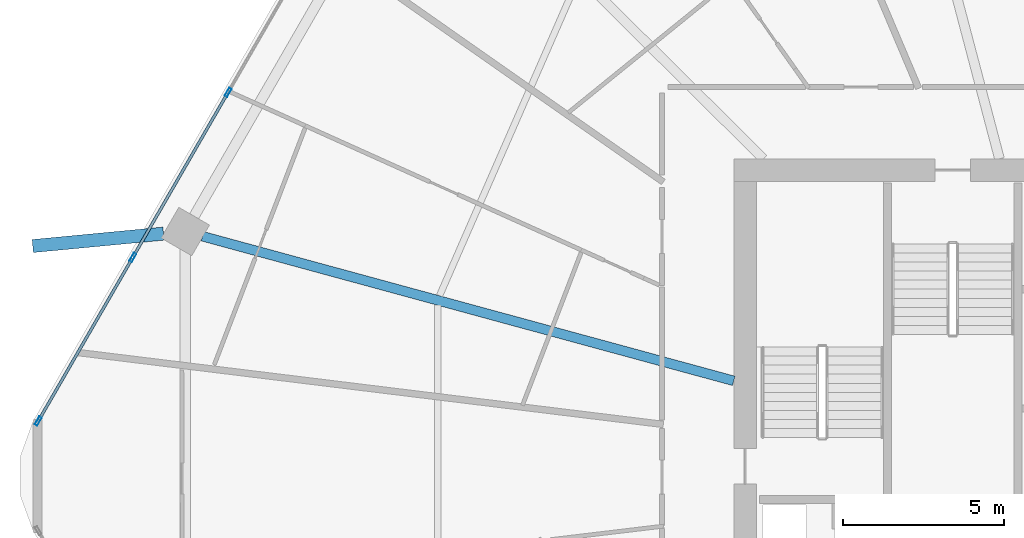
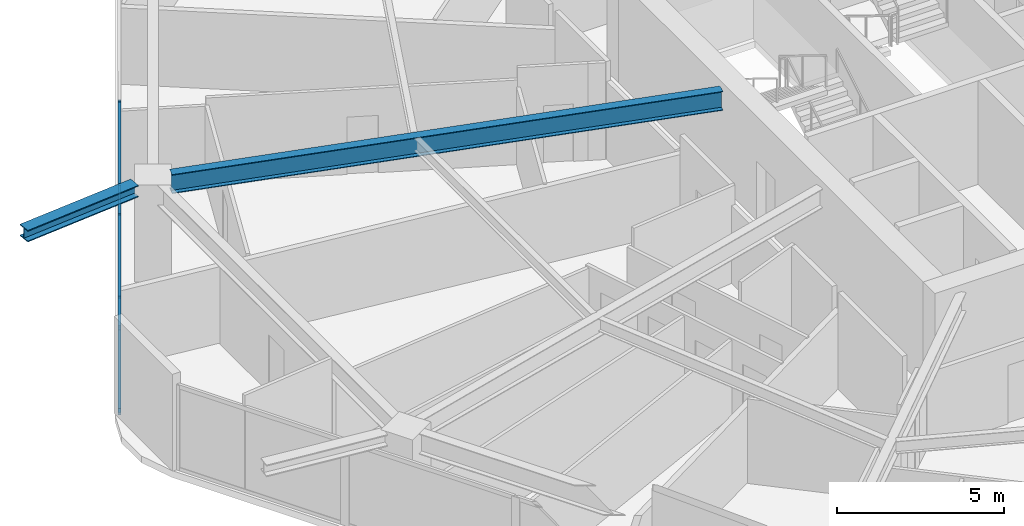
# One storey, part 13 of 33: 7 members, 2 beams, 1 element without a shape of its own.
"""IFC4 building model written with IfcOpenShell, lengths in metres."""

from ifc_helpers import new_model, si_unit, direction, frame, origin, origin_2d, place, context, subcontext, project, spatial, hollow_rectangle, i_section, extrude, material, material_profile, profile_set, type_object, element, aggregate, save


model = new_model("IFC4")

# Units and contexts
model_context = context("Model", 3, precision=1e-05, world=origin(), true_north=direction((0.0, 1.0)))
body_context = subcontext(model_context, "Body", "Model", "MODEL_VIEW")
ifc_project = project(units=[si_unit("LENGTHUNIT", "METRE"), si_unit("AREAUNIT", "SQUARE_METRE"), si_unit("VOLUMEUNIT", "CUBIC_METRE"), si_unit("PLANEANGLEUNIT", "RADIAN"), si_unit("MASSUNIT", "GRAM", prefix="KILO")], contexts=[model_context])

# Site, building, storey
site_placement = place(None, origin())
site = spatial("IfcSite", under=ifc_project, at=site_placement, CompositionType="ELEMENT")
building_placement = place(site_placement, origin())
building = spatial("IfcBuilding", under=site, at=building_placement, Name="Zuhravey Tower", CompositionType="ELEMENT")
storey_placement = place(building_placement, frame((0.0, 0.0, 103.800048828125)))
storey = spatial("IfcBuildingStorey", under=building, at=storey_placement, Name="L25", CompositionType="ELEMENT", Elevation=103.800048828125)

# Curtain wall, members
ifc_material_1 = material(Name="Thermally broken anodised aluminium", Category="aluminium")
curtain_wall_type = type_object("IfcCurtainWallType", Name="Zone 1-2 Residential Curtain Wall CW3", PredefinedType="NOTDEFINED", material=ifc_material_1)
curtain_wall_placement = place(storey_placement, origin())
curtain_wall = element("IfcCurtainWall", 1, at=curtain_wall_placement, inside=storey, type_object=curtain_wall_type, Name="L25 CW3 CW-L25-F3-1", PredefinedType="NOTDEFINED")
ifc_material_2 = material(Name="Anodised aluminium", Category="aluminium")
ifc_material_profile_1 = material_profile(ifc_material_2, hollow_rectangle(XDim=0.090087890625, YDim=0.284912109375, WallThickness=0.0048828125, at=origin_2d()), Name="ALU-RHS-90x285x5")
ifc_profile_set_1 = profile_set([ifc_material_profile_1], Name="Anodised aluminium")
member_type_1 = type_object("IfcMemberType", Name="Curtain-Wall Mullion 90x180", PredefinedType="MULLION", material=ifc_profile_set_1)
member_1_placement = place(storey_placement, frame((3.5439453125, 33.701416015625, 0.0), z_axis=(0.0, 0.0, 1.0), x_axis=(-0.86602552265, 0.499999794119, 0.0)))
member_1 = element("IfcMember", 2, at=member_1_placement, type_object=member_type_1, Name="CW3 mullion 1", PredefinedType="MULLION", context=body_context, shape_type="SweptSolid", body=[
    extrude(hollow_rectangle(XDim=0.090087890625, YDim=0.284912109375, WallThickness=0.0048828125, at=origin_2d()), origin(), (0.0, 0.0, 1.0), 3.1220703125),
])
member_2_placement = place(storey_placement, frame((6.4814453125, 38.789306640625, 0.0), z_axis=(0.0, 0.0, 1.0), x_axis=(-0.86602552265, 0.499999794119, 0.0)))
member_2 = element("IfcMember", 3, at=member_2_placement, type_object=member_type_1, Name="CW3 mullion 2", PredefinedType="MULLION", context=body_context, shape_type="SweptSolid", body=[
    extrude(hollow_rectangle(XDim=0.090087890625, YDim=0.284912109375, WallThickness=0.0048828125, at=origin_2d()), origin(), (0.0, 0.0, 1.0), 3.1220703125),
])
member_3_placement = place(storey_placement, frame((9.44140625, 43.916015625, 0.0), z_axis=(0.0, 0.0, 1.0), x_axis=(-0.86602552265, 0.499999794119, 0.0)))
member_3 = element("IfcMember", 4, at=member_3_placement, type_object=member_type_1, Name="CW3 mullion 3", PredefinedType="MULLION", context=body_context, shape_type="SweptSolid", body=[
    extrude(hollow_rectangle(XDim=0.090087890625, YDim=0.284912109375, WallThickness=0.0048828125, at=origin_2d()), origin(), (0.0, 0.0, 1.0), 3.1220703125),
])
ifc_material_profile_2 = material_profile(ifc_material_2, hollow_rectangle(XDim=0.090087890625, YDim=0.14990234375, WallThickness=0.0048828125, at=origin_2d()), Name="ALU-RHS-90x150x5")
ifc_profile_set_2 = profile_set([ifc_material_profile_2], Name="Anodised aluminium")
member_type_2 = type_object("IfcMemberType", Name="Curtain-Wall Transom 90x150", PredefinedType="USERDEFINED", material=ifc_profile_set_2)
member_4_placement = place(storey_placement, frame((3.56640625, 33.740478515625, 0.044921875), z_axis=(0.500024450573, 0.866011286779, 0.0), x_axis=(-0.866011286779, 0.500024450573, 0.0)))
member_4 = element("IfcMember", 5, at=member_4_placement, type_object=member_type_2, Name="CW3 transom 1.1", ObjectType="TRANSOM", PredefinedType="USERDEFINED", context=body_context, shape_type="SweptSolid", body=[
    extrude(hollow_rectangle(XDim=0.090087890625, YDim=0.14990234375, WallThickness=0.0048828125, at=origin_2d()), origin(), (0.0, 0.0, 1.0), 5.784912109375),
])
member_5_placement = place(storey_placement, frame((3.56640625, 33.740478515625, 3.076904296875), z_axis=(0.500024450573, 0.866011286779, 0.0), x_axis=(-0.866011286779, 0.500024450573, 0.0)))
member_5 = element("IfcMember", 6, at=member_5_placement, type_object=member_type_2, Name="CW3 transom 1.2", ObjectType="TRANSOM", PredefinedType="USERDEFINED", context=body_context, shape_type="SweptSolid", body=[
    extrude(hollow_rectangle(XDim=0.090087890625, YDim=0.14990234375, WallThickness=0.0048828125, at=origin_2d()), origin(), (0.0, 0.0, 1.0), 5.784912109375),
])
member_6_placement = place(storey_placement, frame((6.50390625, 38.828125, 0.044921875), z_axis=(0.499981042766, 0.866036348472, 0.0), x_axis=(-0.866036348472, 0.499981042766, 0.0)))
member_6 = element("IfcMember", 7, at=member_6_placement, type_object=member_type_2, Name="CW3 transom 2.1", ObjectType="TRANSOM", PredefinedType="USERDEFINED", context=body_context, shape_type="SweptSolid", body=[
    extrude(hollow_rectangle(XDim=0.090087890625, YDim=0.14990234375, WallThickness=0.0048828125, at=origin_2d()), origin(), (0.0, 0.0, 1.0), 5.829833984375),
])
member_7_placement = place(storey_placement, frame((6.50390625, 38.828125, 3.076904296875), z_axis=(0.499981042766, 0.866036348472, 0.0), x_axis=(-0.866036348472, 0.499981042766, 0.0)))
member_7 = element("IfcMember", 8, at=member_7_placement, type_object=member_type_2, Name="CW3 transom 2.2", ObjectType="TRANSOM", PredefinedType="USERDEFINED", context=body_context, shape_type="SweptSolid", body=[
    extrude(hollow_rectangle(XDim=0.090087890625, YDim=0.14990234375, WallThickness=0.0048828125, at=origin_2d()), origin(), (0.0, 0.0, 1.0), 5.829833984375),
])
aggregate(curtain_wall, [member_1, member_2, member_3, member_4, member_5, member_6, member_7])

# Beams
ifc_material_3 = material(Name="Steel SM460", Category="steel")
ifc_material_profile_3 = material_profile(ifc_material_3, i_section(OverallWidth=0.406982421875, OverallDepth=0.427978515625, WebThickness=0.02001953125, FlangeThickness=0.034912109375, at=origin_2d()), Name="H-428x407x20x35")
ifc_profile_set_3 = profile_set([ifc_material_profile_3], Name="Steel SM460")
beam_type_1 = type_object("IfcBeamType", Name="Exoskeleton Node Tie Beam H428x407", PredefinedType="BEAM", material=ifc_profile_set_3)
beam_1_placement = place(storey_placement, frame((7.43505859375, 39.52734375, 3.3359375), z_axis=(-0.995525812941, -0.094489977076, 0.0), x_axis=(0.094489977076, -0.995525812941, 0.0)))
element("IfcBeam", 9, at=beam_1_placement, inside=storey, type_object=beam_type_1, Name="L25 Exoskeleton Node Tie NT1-06", PredefinedType="BEAM", context=body_context, shape_type="SweptSolid", body=[
    extrude(i_section(OverallWidth=0.406982421875, OverallDepth=0.427978515625, WebThickness=0.02001953125, FlangeThickness=0.034912109375, at=origin_2d()), origin(), (0.0, 0.0, 1.0), 4.079833984375),
])
ifc_material_4 = material(Name="Steel SM355", Category="steel")
ifc_material_profile_4 = material_profile(ifc_material_4, i_section(OverallWidth=0.300048828125, OverallDepth=0.699951171875, WebThickness=0.012939453125, FlangeThickness=0.02392578125, at=origin_2d()), Name="H-700x300x13x24")
ifc_profile_set_4 = profile_set([ifc_material_profile_4], Name="Steel SM355")
beam_type_2 = type_object("IfcBeamType", Name="Radial Primary Girder H700x300", PredefinedType="BEAM", material=ifc_profile_set_4)
beam_2_placement = place(storey_placement, frame((25.14697265625, 34.954345703125, 3.199951171875), z_axis=(-0.964893166225, 0.262642680791, 0.0), x_axis=(-0.262642680791, -0.964893166225, 0.0)))
element("IfcBeam", 10, at=beam_2_placement, inside=storey, type_object=beam_type_2, Name="L25 RG1 BM-L25-RAD-06", PredefinedType="BEAM", context=body_context, shape_type="SweptSolid", body=[
    extrude(i_section(OverallWidth=0.300048828125, OverallDepth=0.699951171875, WebThickness=0.012939453125, FlangeThickness=0.02392578125, at=origin_2d()), origin(), (0.0, 0.0, 1.0), 17.102783203125),
])

save(model, "model.ifc")
